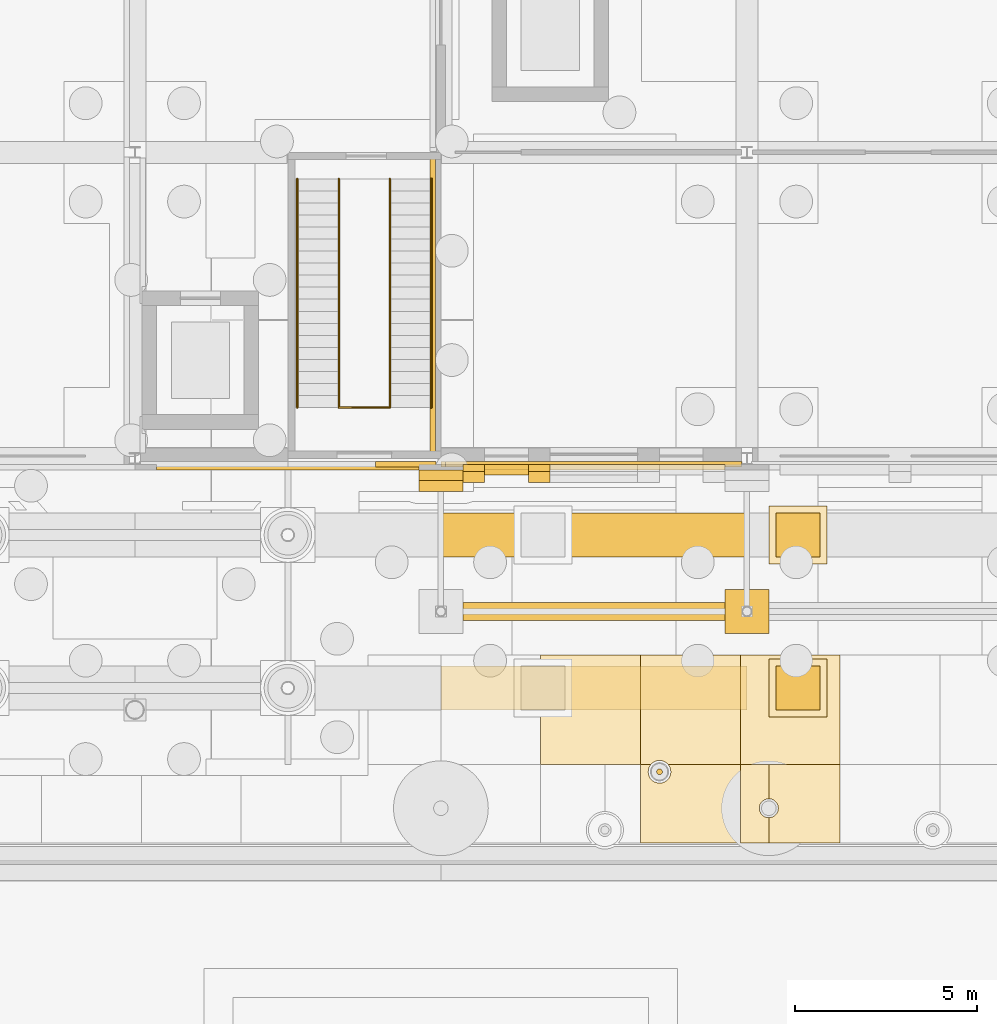
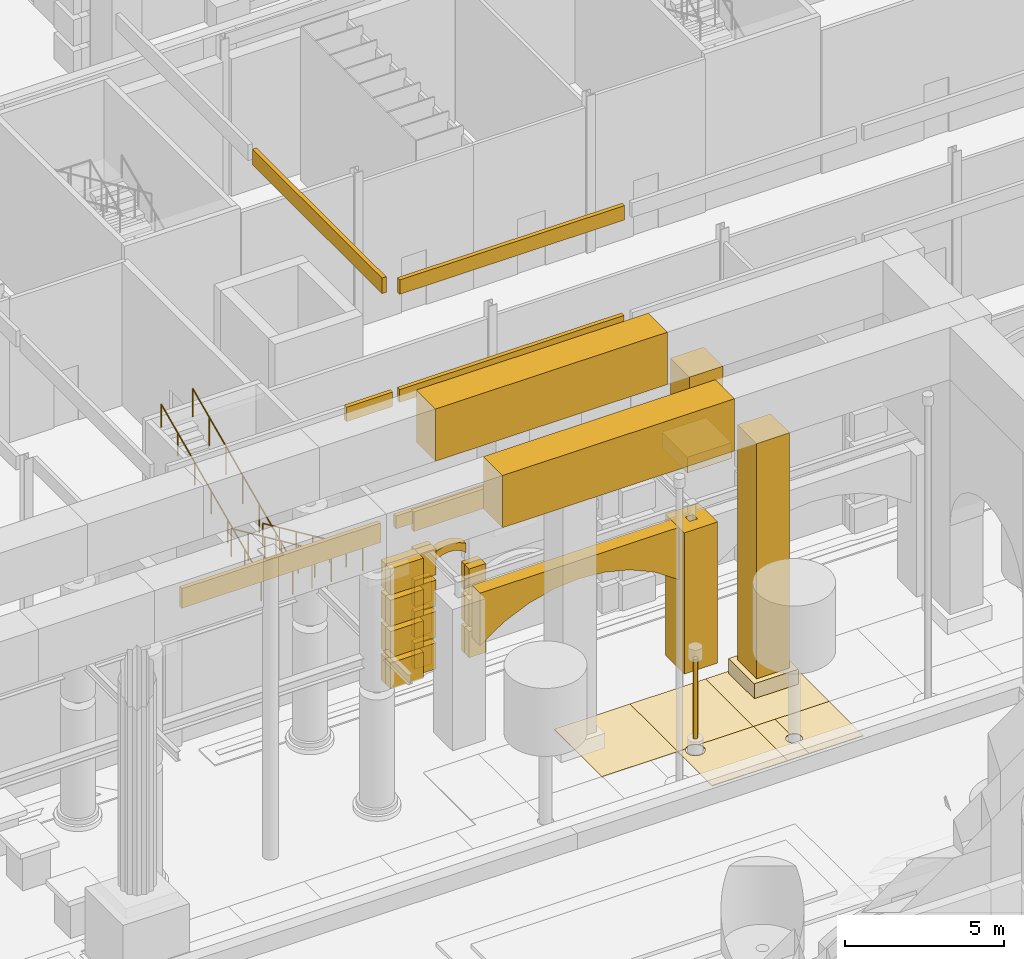
# One storey, part 132 of 222: 45 coverings, 5 railings.
"""IFC4 building model written with IfcOpenShell, lengths in metres."""

import ifcopenshell
import ifcopenshell.guid

model = None  # the IFC model being written
_history = None  # IfcOwnerHistory: only IFC2X3 demands one
_inside = {}  # id of a spatial element -> (the spatial element, [elements in it])
_under = {}  # id of a project, library or spatial element -> (it, [spatial elements below it])
_declared = {}  # id of a project -> (the project, [libraries it declares])
_typed = {}  # id of a type object -> (the type object, [elements of that type])
_made_of = {}  # id of a material, layer set ... -> (it, [elements and type objects made of it])


def new_model(schema):
    """Start an empty IFC model of exactly this schema.

    Asked for "IFC4X3", IfcOpenShell would pick the latest addendum, in which some entities
    have other attributes; the version numbers below select the first issue.
    IFC2X3 requires an IfcOwnerHistory on every rooted entity: one is made here for all.
    """
    global model, _history
    if schema == "IFC4X3":
        model = ifcopenshell.file(schema_version=(4, 3, 0, 0))
    else:
        model = ifcopenshell.file(schema=schema)
    _inside.clear()
    _under.clear()
    _declared.clear()
    _typed.clear()
    _made_of.clear()
    _history = None
    if model.schema == "IFC2X3":
        org = make("IfcOrganization", Name="unknown")
        user = make(
            "IfcPersonAndOrganization",
            ThePerson=make("IfcPerson", FamilyName="unknown"),
            TheOrganization=org,
        )
        app = make(
            "IfcApplication",
            ApplicationDeveloper=org,
            Version="unknown",
            ApplicationFullName="unknown",
            ApplicationIdentifier="unknown",
        )
        _history = make(
            "IfcOwnerHistory",
            OwningUser=user,
            OwningApplication=app,
            ChangeAction="ADDED",
            CreationDate=0,
        )
    return model


def make(cls, **values):
    """One entity of the class cls with the attributes given. An attribute that is None is left unset."""
    return model.create_entity(
        cls, **{name: value for name, value in values.items() if value is not None}
    )


def rooted(cls, **values):
    """An entity with a GlobalId (a new one), such as an element, a storey or a relation."""
    return make(cls, GlobalId=ifcopenshell.guid.new(), OwnerHistory=_history, **values)


def si_unit(unit_type, name, prefix=None):
    """IfcSIUnit, for example si_unit("LENGTHUNIT", "METRE", prefix="MILLI")."""
    return make("IfcSIUnit", UnitType=unit_type, Prefix=prefix, Name=name)


def assignment(units):
    """IfcUnitAssignment: the units of a project."""
    return None if units is None else make("IfcUnitAssignment", Units=units)


def point(xyz):
    """IfcCartesianPoint."""
    return None if xyz is None else make("IfcCartesianPoint", Coordinates=xyz)


def direction(xyz):
    """IfcDirection."""
    return None if xyz is None else make("IfcDirection", DirectionRatios=xyz)


def frame(location, z_axis=None, x_axis=None):
    """IfcAxis2Placement3D, a coordinate frame: its origin and axes. An axis left out is left unset."""
    return make(
        "IfcAxis2Placement3D",
        Location=point(location),
        Axis=direction(z_axis),
        RefDirection=direction(x_axis),
    )


def frame_2d(location, x_axis=None):
    """IfcAxis2Placement2D, a coordinate frame in the plane: its origin and x axis."""
    return make(
        "IfcAxis2Placement2D", Location=point(location), RefDirection=direction(x_axis)
    )


def origin():
    """The frame at (0, 0, 0) with its axes left unset."""
    return frame((0.0, 0.0, 0.0))


def origin_2d():
    """The frame at (0, 0) in the plane with its x axis left unset."""
    return frame_2d((0.0, 0.0))


def place(relative_to, where):
    """IfcLocalPlacement: puts the frame where relative to a parent placement (None: the world)."""
    return make(
        "IfcLocalPlacement", PlacementRelTo=relative_to, RelativePlacement=where
    )


def context(
    kind, dimensions, precision=None, world=None, true_north=None, identifier=None
):
    """IfcGeometricRepresentationContext, for example the 3D "Model" context."""
    return make(
        "IfcGeometricRepresentationContext",
        ContextIdentifier=identifier,
        ContextType=kind,
        CoordinateSpaceDimension=dimensions,
        Precision=precision,
        WorldCoordinateSystem=world,
        TrueNorth=true_north,
    )


def subcontext(parent, identifier, kind, view, scale=None):
    """IfcGeometricRepresentationSubContext, for example "Body" below "Model"."""
    return make(
        "IfcGeometricRepresentationSubContext",
        ContextIdentifier=identifier,
        ContextType=kind,
        ParentContext=parent,
        TargetScale=scale,
        TargetView=view,
    )


def project(units=None, contexts=None):
    """IfcProject with its units and contexts."""
    return rooted(
        "IfcProject",
        Name="project",
        RepresentationContexts=contexts,
        UnitsInContext=assignment(units),
    )


def spatial(cls, under=None, at=None, **own):
    """A site, building, storey or space (cls), placed at a placement, below another one or the project."""
    s = rooted(cls, ObjectPlacement=at, **own)
    if under is not None:
        _under.setdefault(under.id(), (under, []))[1].append(s)
    return s


def polyline(points):
    """IfcPolyline through the points."""
    return make("IfcPolyline", Points=[point(p) for p in points])


def profile(cls, at=None, kind="AREA", **sizes):
    """A parametric profile (cls). Its sizes go by their IFC names, for example OverallWidth=200.0."""
    return make(cls, ProfileType=kind, Position=at, **sizes)


def rectangle(**sizes):
    """IfcRectangleProfileDef."""
    return profile("IfcRectangleProfileDef", **sizes)


def hollow_rectangle(**sizes):
    """IfcRectangleHollowProfileDef."""
    return profile("IfcRectangleHollowProfileDef", **sizes)


def circle(**sizes):
    """IfcCircleProfileDef."""
    return profile("IfcCircleProfileDef", **sizes)


def outline(outer, holes=None, kind="AREA"):
    """IfcArbitraryClosedProfileDef: a profile drawn as a closed curve; with holes, ...WithVoids."""
    if holes is None:
        return make("IfcArbitraryClosedProfileDef", ProfileType=kind, OuterCurve=outer)
    return make(
        "IfcArbitraryProfileDefWithVoids",
        ProfileType=kind,
        OuterCurve=outer,
        InnerCurves=holes,
    )


def extrude(swept, where, along, depth):
    """IfcExtrudedAreaSolid: the profile swept, set in the frame where, extruded along a direction by depth."""
    return make(
        "IfcExtrudedAreaSolid",
        SweptArea=swept,
        Position=where,
        ExtrudedDirection=direction(along),
        Depth=depth,
    )


def shape(context_of_items, identifier, shape_type, items):
    """IfcShapeRepresentation: the items that make up one representation, for example the "Body"."""
    return make(
        "IfcShapeRepresentation",
        ContextOfItems=context_of_items,
        RepresentationIdentifier=identifier,
        RepresentationType=shape_type,
        Items=items,
    )


def material(Name=None, Category=None):
    """IfcMaterial."""
    return make("IfcMaterial", Name=Name, Category=Category)


def layer(
    of_material, thickness, ventilated=None, Name=None, Category=None, Priority=None
):
    """IfcMaterialLayer: one layer of a wall or slab, of a material (None: an air gap)."""
    return make(
        "IfcMaterialLayer",
        Material=of_material,
        LayerThickness=thickness,
        IsVentilated=ventilated,
        Name=Name,
        Category=Category,
        Priority=Priority,
    )


def layer_set(layers, Name=None):
    """IfcMaterialLayerSet."""
    return make("IfcMaterialLayerSet", MaterialLayers=layers, LayerSetName=Name)


def material_profile(
    of_material, cross_section, Name=None, Category=None, Priority=None
):
    """IfcMaterialProfile: a cross section and its material."""
    return make(
        "IfcMaterialProfile",
        Name=Name,
        Material=of_material,
        Profile=cross_section,
        Priority=Priority,
        Category=Category,
    )


def profile_set(profiles, Name=None, composite=None):
    """IfcMaterialProfileSet."""
    return make(
        "IfcMaterialProfileSet",
        Name=Name,
        MaterialProfiles=profiles,
        CompositeProfile=composite,
    )


def made_of(thing, what):
    """Note that an element or type object is made of a material, layer set ...; save() writes the relation."""
    if what is not None:
        _made_of.setdefault(what.id(), (what, []))[1].append(thing)
    return thing


def type_object(cls, material=None, **own):
    """A type object (cls), such as IfcWallType, which elements share."""
    return made_of(rooted(cls, **own), material)


def element(
    cls,
    number,
    at=None,
    inside=None,
    cuts=None,
    type_object=None,
    material=None,
    context=None,
    identifier="Body",
    shape_type=None,
    held_by="IfcProductDefinitionShape",
    body=None,
    shapes=None,
    **own,
):
    """One element of the class cls, such as IfcWall. Its Tag is "e" and its number.

    at: its placement. inside: the storey or other place that contains it. cuts: it is an
    opening in that element (IfcRelVoidsElement). A single representation is given by context,
    identifier, shape_type and body (its items); several are given by shapes. held_by: the class
    of the entity that holds the representations. save() writes the other relations.
    """
    e = rooted(cls, Tag="e%d" % number, ObjectPlacement=at, **own)
    if body is not None:
        shapes = [shape(context, identifier, shape_type, body)]
    if shapes is not None:
        e.Representation = make(held_by, Representations=shapes)
    if inside is not None:
        _inside.setdefault(inside.id(), (inside, []))[1].append(e)
    if cuts is not None:
        rooted(
            "IfcRelVoidsElement", RelatingBuildingElement=cuts, RelatedOpeningElement=e
        )
    if type_object is not None:
        _typed.setdefault(type_object.id(), (type_object, []))[1].append(e)
    return made_of(e, material)


def aggregate(whole, parts):
    """IfcRelAggregates: a whole, such as a stair, and the parts it consists of."""
    return rooted("IfcRelAggregates", RelatingObject=whole, RelatedObjects=parts)


def save(model, path):
    """Write the relations noted so far, then the file.

    IfcRelAggregates (storeys below a building ...), IfcRelContainedInSpatialStructure (elements
    in a storey), IfcRelDefinesByType, IfcRelAssociatesMaterial and IfcRelDeclares: one each for
    every whole, place, type object, material and project.
    """
    for whole, parts in _under.values():
        aggregate(whole, parts)
    for where, things in _inside.values():
        rooted(
            "IfcRelContainedInSpatialStructure",
            RelatedElements=things,
            RelatingStructure=where,
        )
    for kind, things in _typed.values():
        rooted("IfcRelDefinesByType", RelatedObjects=things, RelatingType=kind)
    for what, things in _made_of.values():
        rooted("IfcRelAssociatesMaterial", RelatedObjects=things, RelatingMaterial=what)
    for by, libraries in _declared.values():
        rooted("IfcRelDeclares", RelatingContext=by, RelatedDefinitions=libraries)
    model.write(path)


model = new_model("IFC4")

# Units and contexts
model_context = context("Model", 3, precision=1e-05, world=origin(), true_north=direction((0.0, 1.0)))
body_context = subcontext(model_context, "Body", "Model", "MODEL_VIEW")
ifc_project = project(units=[si_unit("LENGTHUNIT", "METRE"), si_unit("AREAUNIT", "SQUARE_METRE"), si_unit("VOLUMEUNIT", "CUBIC_METRE"), si_unit("PLANEANGLEUNIT", "RADIAN"), si_unit("MASSUNIT", "GRAM", prefix="KILO")], contexts=[model_context])

# Site, building, storey
site_placement = place(None, origin())
site = spatial("IfcSite", under=ifc_project, at=site_placement, CompositionType="ELEMENT")
building_placement = place(site_placement, origin())
building = spatial("IfcBuilding", under=site, at=building_placement, Name="Sava Quay Ferry Terminal", CompositionType="ELEMENT")
storey_placement = place(building_placement, origin())
storey = spatial("IfcBuildingStorey", under=building, at=storey_placement, Name="L00", CompositionType="ELEMENT", Elevation=0.0)

# Coverings
ifc_material_1 = material(Name="Limestone Mutalj ashlar", Category="masonry")
ifc_material_profile = material_profile(ifc_material_1, hollow_rectangle(XDim=1.199951171875, YDim=1.199951171875, WallThickness=0.462890625, at=origin_2d()), Name="Arcade pier 1200")
ifc_profile_set = profile_set([ifc_material_profile], Name="Limestone Mutalj ashlar")
covering_type_1 = type_object("IfcCoveringType", Name="Arcade pier 1200", PredefinedType="CLADDING", material=ifc_profile_set)
covering_1_placement = place(storey_placement, frame((92.39990234375, 21.0, 0.0), z_axis=(0.0, 0.0, 1.0), x_axis=(1.0, 0.0, 0.0)))
element("IfcCovering", 1, at=covering_1_placement, inside=storey, type_object=covering_type_1, Name="Arcade pier", PredefinedType="CLADDING", context=body_context, shape_type="SweptSolid", body=[
    extrude(hollow_rectangle(XDim=1.199951171875, YDim=1.199951171875, WallThickness=0.462890625, at=origin_2d()), origin(), (0.0, 0.0, 1.0), 5.39990234375),
])
ifc_material_2 = material(Name="Limestone Mutalj", Category="masonry")
ifc_layer_1 = layer(ifc_material_2, 0.300048828125)
ifc_layer_set_1 = layer_set([ifc_layer_1], Name="Limestone Mutalj")
covering_type_2 = type_object("IfcCoveringType", Name="Arch band 280", PredefinedType="MOLDING", material=ifc_layer_set_1)
covering_2_placement = place(storey_placement, frame((85.199951171875, 24.739990234375, 3.89990234375), z_axis=(0.0, -1.0, 0.0), x_axis=(0.766686318179, 0.0, 0.642021876199)))
element("IfcCovering", 2, at=covering_2_placement, inside=storey, type_object=covering_type_2, Name="Arch band", PredefinedType="MOLDING", context=body_context, shape_type="SweptSolid", body=[
    extrude(outline(polyline([(0.0, 0.0), (0.15667057654730215, -1.3877787807814457e-17), (0.29293404656438327, -0.02398938309786766), (0.414337308134961, -0.06610472040016957), (0.5230139006591377, -0.1230376562322823), (0.6205921316676617, -0.19360424362325043), (0.7070111298509724, -0.2771166367750381), (0.7823317665186302, -0.3742626814856812), (0.844925734139887, -0.48622632472613514), (0.8926594933146406, -0.6163159221710233), (0.919986145959173, -0.7703949027137791), (1.1489885778747033, -0.49692597916416525), (1.0994043308893047, -0.3694264559410845), (1.0383473638344554, -0.2552470970326215), (0.9677594714851411, -0.1528295969140227), (0.8882067570202763, -0.06073739267965583), (0.8003770662378966, 0.021090386980039788), (0.7042095278284416, 0.09334158786309998), (0.5997650131014718, 0.15532836417148896), (0.4863556762589516, 0.20698984459564596), (0.3634154141219664, 0.2468894662299388), (0.22900243191553027, 0.27346892354961383), (0.0, 0.0)])), origin(), (0.0, 0.0, -1.0), 0.300048828125),
])
ifc_material_3 = material(Name="Limestone Mutalj", Category="masonry")
ifc_layer_2 = layer(ifc_material_3, 0.5)
ifc_layer_set_2 = layer_set([ifc_layer_2], Name="Limestone Mutalj")
covering_type_3 = type_object("IfcCoveringType", Name="Arch spandrel 500", PredefinedType="CLADDING", material=ifc_layer_set_2)
covering_3_placement = place(storey_placement, frame((84.60009765625, 20.75, 3.39990234375), z_axis=(0.0, -1.0, 0.0), x_axis=(0.827289511466, 0.0, 0.561775813131)))
element("IfcCovering", 3, at=covering_3_placement, inside=storey, type_object=covering_type_3, Name="Arch spandrel", PredefinedType="CLADDING", context=body_context, shape_type="SweptSolid", body=[
    extrude(outline(polyline([(0.0, 0.0), (1.0877719725412898, 0.0), (2.0534783997490385, -0.17975773076285784), (2.92338019324587, -0.5010350986935066), (3.7084570438196027, -0.946793875989717), (4.412541708880196, -1.5122589927881132), (5.031801431017692, -2.202205518952071), (5.555054544465885, -3.033534529985692), (5.956444087558922, -4.044758424080299), (7.079995713820012, -2.3901794011484654), (1.12355162626109, 1.6545790229318331), (0.0, 0.0)])), origin(), (0.0, 0.0, -1.0), 0.5),
])
ifc_material_4 = material(Name="Limestone Mutalj", Category="masonry")
ifc_layer_3 = layer(ifc_material_4, 0.030029296875)
ifc_layer_set_3 = layer_set([ifc_layer_3], Name="Limestone Mutalj")
covering_type_4 = type_object("IfcCoveringType", Name="Court paving tile 30", PredefinedType="FLOORING", material=ifc_layer_set_3)
covering_4_placement = place(storey_placement, origin())
element("IfcCovering", 4, at=covering_4_placement, inside=storey, type_object=covering_type_4, Name="Limestone paving tile", PredefinedType="FLOORING", context=body_context, shape_type="SweptSolid", body=[
    extrude(outline(polyline([(89.47998046875, 16.800048828125), (89.47998046875, 19.800048828125), (86.739990234375, 19.800048828125), (86.739990234375, 16.800048828125), (89.47998046875, 16.800048828125)])), origin(), (0.0, 0.0, 1.0), 0.030029296875),
])
covering_5_placement = place(storey_placement, origin())
element("IfcCovering", 5, at=covering_5_placement, inside=storey, type_object=covering_type_4, Name="Limestone paving tile", PredefinedType="FLOORING", context=body_context, shape_type="SweptSolid", body=[
    extrude(outline(polyline([(94.9599609375, 16.800048828125), (94.9599609375, 19.800048828125), (92.219970703125, 19.800048828125), (92.219970703125, 16.800048828125), (94.9599609375, 16.800048828125)])), origin(), (0.0, 0.0, 1.0), 0.030029296875),
])
covering_6_placement = place(storey_placement, origin())
element("IfcCovering", 6, at=covering_6_placement, inside=storey, type_object=covering_type_4, Name="Limestone paving tile", PredefinedType="FLOORING", context=body_context, shape_type="SweptSolid", body=[
    extrude(outline(polyline([(92.219970703125, 14.64990234375), (92.219970703125, 16.800048828125), (90.237060546875, 16.800048828125), (90.257080078125, 16.77294921875), (90.27392578125, 16.74609375), (90.287109375, 16.718017578125), (90.303955078125, 16.659912109375), (90.30810546875, 16.631103515625), (90.31005859375, 16.60009765625), (90.30810546875, 16.569091796875), (90.303955078125, 16.5400390625), (90.297119140625, 16.510009765625), (90.285888671875, 16.48095703125), (90.27294921875, 16.452880859375), (90.258056640625, 16.427978515625), (90.239013671875, 16.403076171875), (90.218994140625, 16.3798828125), (90.172119140625, 16.342041015625), (90.14599609375, 16.325927734375), (90.090087890625, 16.302978515625), (90.06005859375, 16.2958984375), (90.031005859375, 16.2919921875), (90.0, 16.2900390625), (89.968994140625, 16.2919921875), (89.93994140625, 16.2958984375), (89.909912109375, 16.302978515625), (89.85400390625, 16.325927734375), (89.827880859375, 16.342041015625), (89.781005859375, 16.3798828125), (89.760986328125, 16.403076171875), (89.741943359375, 16.427978515625), (89.72705078125, 16.452880859375), (89.714111328125, 16.48095703125), (89.702880859375, 16.510009765625), (89.696044921875, 16.5400390625), (89.69189453125, 16.569091796875), (89.68994140625, 16.60009765625), (89.69189453125, 16.631103515625), (89.696044921875, 16.659912109375), (89.712890625, 16.718017578125), (89.72607421875, 16.74609375), (89.742919921875, 16.77294921875), (89.762939453125, 16.800048828125), (89.47998046875, 16.800048828125), (89.47998046875, 14.64990234375), (92.219970703125, 14.64990234375)])), origin(), (0.0, 0.0, 1.0), 0.030029296875),
])
ifc_material_5 = material(Name="Red sandstone Vrsac", Category="masonry")
ifc_layer_4 = layer(ifc_material_5, 0.030029296875)
ifc_layer_set_4 = layer_set([ifc_layer_4], Name="Red sandstone Vrsac")
covering_type_5 = type_object("IfcCoveringType", Name="Court paving tile sandstone 30", PredefinedType="FLOORING", material=ifc_layer_set_4)
covering_7_placement = place(storey_placement, origin())
element("IfcCovering", 7, at=covering_7_placement, inside=storey, type_object=covering_type_5, Name="Sandstone paving tile", PredefinedType="FLOORING", context=body_context, shape_type="SweptSolid", body=[
    extrude(outline(polyline([(92.219970703125, 16.800048828125), (92.219970703125, 19.800048828125), (89.47998046875, 19.800048828125), (89.47998046875, 16.800048828125), (89.762939453125, 16.800048828125), (89.781005859375, 16.820068359375), (89.802978515625, 16.839111328125), (89.826904296875, 16.85693359375), (89.85302734375, 16.873046875), (89.881103515625, 16.885986328125), (89.909912109375, 16.89697265625), (89.93994140625, 16.904052734375), (89.969970703125, 16.908935546875), (90.0, 16.909912109375), (90.031005859375, 16.907958984375), (90.06103515625, 16.904052734375), (90.090087890625, 16.89599609375), (90.118896484375, 16.885986328125), (90.14697265625, 16.873046875), (90.173095703125, 16.85693359375), (90.197021484375, 16.839111328125), (90.218994140625, 16.820068359375), (90.237060546875, 16.800048828125), (92.219970703125, 16.800048828125)])), origin(), (0.0, 0.0, 1.0), 0.030029296875),
])
covering_8_placement = place(storey_placement, origin())
element("IfcCovering", 8, at=covering_8_placement, inside=storey, type_object=covering_type_5, Name="Sandstone paving tile", PredefinedType="FLOORING", context=body_context, shape_type="SweptSolid", body=[
    extrude(outline(polyline([(93.0, 15.860107421875), (93.0, 16.800048828125), (92.219970703125, 16.800048828125), (92.219970703125, 14.64990234375), (93.0, 14.64990234375), (93.0, 15.340087890625), (92.97412109375, 15.341064453125), (92.948974609375, 15.344970703125), (92.924072265625, 15.35107421875), (92.89990234375, 15.360107421875), (92.876953125, 15.37109375), (92.85498046875, 15.384033203125), (92.8349609375, 15.39892578125), (92.81591796875, 15.4169921875), (92.799072265625, 15.43505859375), (92.783935546875, 15.4560546875), (92.77001953125, 15.47802734375), (92.760009765625, 15.5009765625), (92.7509765625, 15.52490234375), (92.7451171875, 15.550048828125), (92.740966796875, 15.574951171875), (92.739990234375, 15.60009765625), (92.740966796875, 15.6259765625), (92.7451171875, 15.65087890625), (92.7509765625, 15.676025390625), (92.760009765625, 15.699951171875), (92.77099609375, 15.722900390625), (92.783935546875, 15.7451171875), (92.799072265625, 15.764892578125), (92.81689453125, 15.783935546875), (92.8349609375, 15.801025390625), (92.85595703125, 15.81591796875), (92.8779296875, 15.830078125), (92.90087890625, 15.840087890625), (92.925048828125, 15.84912109375), (92.949951171875, 15.85498046875), (92.97509765625, 15.85888671875), (93.0, 15.860107421875)])), origin(), (0.0, 0.0, 1.0), 0.030029296875),
])
covering_9_placement = place(storey_placement, origin())
element("IfcCovering", 9, at=covering_9_placement, inside=storey, type_object=covering_type_5, Name="Sandstone paving tile", PredefinedType="FLOORING", context=body_context, shape_type="SweptSolid", body=[
    extrude(outline(polyline([(94.9599609375, 14.64990234375), (94.9599609375, 16.800048828125), (93.0, 16.800048828125), (93.0, 15.860107421875), (93.02587890625, 15.85888671875), (93.051025390625, 15.85498046875), (93.075927734375, 15.84912109375), (93.10009765625, 15.840087890625), (93.123046875, 15.8291015625), (93.14501953125, 15.81591796875), (93.1650390625, 15.801025390625), (93.18408203125, 15.782958984375), (93.200927734375, 15.764892578125), (93.216064453125, 15.743896484375), (93.22998046875, 15.721923828125), (93.239990234375, 15.698974609375), (93.2490234375, 15.675048828125), (93.2548828125, 15.64990234375), (93.259033203125, 15.625), (93.260009765625, 15.60009765625), (93.259033203125, 15.573974609375), (93.2548828125, 15.549072265625), (93.2490234375, 15.52392578125), (93.239990234375, 15.5), (93.22900390625, 15.47705078125), (93.216064453125, 15.455078125), (93.200927734375, 15.43505859375), (93.18310546875, 15.416015625), (93.1650390625, 15.39892578125), (93.14404296875, 15.384033203125), (93.1220703125, 15.3701171875), (93.09912109375, 15.360107421875), (93.074951171875, 15.35107421875), (93.050048828125, 15.344970703125), (93.02490234375, 15.341064453125), (93.0, 15.340087890625), (93.0, 14.64990234375), (94.9599609375, 14.64990234375)])), origin(), (0.0, 0.0, 1.0), 0.030029296875),
])

# Railings
ifc_material_6 = material(Name="Steel S355", Category="steel")
railing_type_1 = type_object("IfcRailingType", Name="Guard 1100", PredefinedType="GUARDRAIL", material=ifc_material_6)
railing_1_placement = place(storey_placement, frame((82.60009765625, 32.8701171875, 0.14990234375)))
element("IfcRailing", 10, at=railing_1_placement, inside=storey, type_object=railing_type_1, Name="Guard at stair well ST-A2 L00", PredefinedType="GUARDRAIL", context=body_context, shape_type="SweptSolid", body=[
    extrude(circle(Radius=0.02392578125, at=origin_2d()), frame((0.0, 0.0, 1.076171875), z_axis=(0.0, -0.910361621584, 0.413813627068), x_axis=(1.0, 0.0, 0.0)), (0.0, 0.0, 1.0), 6.887451171875),
    extrude(circle(Radius=0.02099609375, at=origin_2d()), origin(), (0.0, 0.0, 1.0), 1.052001953125),
    extrude(circle(Radius=0.02099609375, at=origin_2d()), frame((0.0, -1.044921875, 0.47509765625)), (0.0, 0.0, 1.0), 1.052001953125),
    extrude(circle(Radius=0.02099609375, at=origin_2d()), frame((0.0, -2.090087890625, 0.949951171875)), (0.0, 0.0, 1.0), 1.052001953125),
    extrude(circle(Radius=0.02099609375, at=origin_2d()), frame((0.0, -3.135009765625, 1.425048828125)), (0.0, 0.0, 1.0), 1.052001953125),
    extrude(circle(Radius=0.02099609375, at=origin_2d()), frame((0.0, -4.179931640625, 1.900146484375)), (0.0, 0.0, 1.0), 1.052001953125),
    extrude(circle(Radius=0.02099609375, at=origin_2d()), frame((0.0, -5.22509765625, 2.375)), (0.0, 0.0, 1.0), 1.052001953125),
    extrude(circle(Radius=0.02099609375, at=origin_2d()), frame((0.0, -6.27001953125, 2.85009765625)), (0.0, 0.0, 1.0), 1.052001953125),
])
railing_2_placement = place(storey_placement, frame((81.199951171875, 26.60009765625, 3.14990234375)))
element("IfcRailing", 11, at=railing_2_placement, inside=storey, type_object=railing_type_1, Name="Guard at stair well ST-A2 L00", PredefinedType="GUARDRAIL", context=body_context, shape_type="SweptSolid", body=[
    extrude(circle(Radius=0.02392578125, at=origin_2d()), frame((0.0, 0.0, 1.076171875), z_axis=(0.0, 0.910361621584, 0.413813627068), x_axis=(-1.0, 0.0, 0.0)), (0.0, 0.0, 1.0), 6.887451171875),
    extrude(circle(Radius=0.02099609375, at=origin_2d()), origin(), (0.0, 0.0, 1.0), 1.052001953125),
    extrude(circle(Radius=0.02099609375, at=origin_2d()), frame((0.0, 1.044921875, 0.47509765625)), (0.0, 0.0, 1.0), 1.052001953125),
    extrude(circle(Radius=0.02099609375, at=origin_2d()), frame((0.0, 2.090087890625, 0.949951171875)), (0.0, 0.0, 1.0), 1.052001953125),
    extrude(circle(Radius=0.02099609375, at=origin_2d()), frame((0.0, 3.135009765625, 1.425048828125)), (0.0, 0.0, 1.0), 1.052001953125),
    extrude(circle(Radius=0.02099609375, at=origin_2d()), frame((0.0, 4.179931640625, 1.900146484375)), (0.0, 0.0, 1.0), 1.052001953125),
    extrude(circle(Radius=0.02099609375, at=origin_2d()), frame((0.0, 5.22509765625, 2.375)), (0.0, 0.0, 1.0), 1.052001953125),
    extrude(circle(Radius=0.02099609375, at=origin_2d()), frame((0.0, 6.27001953125, 2.85009765625)), (0.0, 0.0, 1.0), 1.052001953125),
])
railing_3_placement = place(storey_placement, frame((81.199951171875, 26.60009765625, 3.0)))
element("IfcRailing", 12, at=railing_3_placement, inside=storey, type_object=railing_type_1, Name="Guard at half landing ST-A2 L00", PredefinedType="GUARDRAIL", context=body_context, shape_type="SweptSolid", body=[
    extrude(circle(Radius=0.02392578125, at=origin_2d()), frame((0.0, 0.0, 1.076171875), z_axis=(1.0, 0.0, 0.0), x_axis=(0.0, 1.0, 0.0)), (0.0, 0.0, 1.0), 1.400146484375),
    extrude(circle(Radius=0.02099609375, at=origin_2d()), origin(), (0.0, 0.0, 1.0), 1.052001953125),
    extrude(circle(Radius=0.02099609375, at=origin_2d()), frame((0.7001953125, 0.0, 0.0)), (0.0, 0.0, 1.0), 1.052001953125),
    extrude(circle(Radius=0.02099609375, at=origin_2d()), frame((1.400146484375, 0.0, 0.0)), (0.0, 0.0, 1.0), 1.052001953125),
])

# Coverings
ifc_material_7 = material(Name="Steel S355", Category="steel")
ifc_layer_5 = layer(ifc_material_7, 0.159912109375)
ifc_layer_set_5 = layer_set([ifc_layer_5], Name="Steel S355")
covering_type_6 = type_object("IfcCoveringType", Name="Lamp standard column 160", PredefinedType="CLADDING", material=ifc_layer_set_5)
covering_10_placement = place(storey_placement, frame((90.0, 16.60009765625, 3.550048828125), z_axis=(0.0, 0.0, -1.0), x_axis=(1.0, 0.0, 0.0)))
element("IfcCovering", 13, at=covering_10_placement, inside=storey, type_object=covering_type_6, Name="Lamp standard column", PredefinedType="CLADDING", context=body_context, shape_type="SweptSolid", body=[
    extrude(circle(Radius=0.080078125, at=origin_2d()), origin(), (0.0, 0.0, 1.0), 3.050048828125),
])
ifc_material_8 = material(Name="Limestone Mutalj", Category="masonry")
ifc_layer_6 = layer(ifc_material_8, 0.14990234375)
ifc_layer_set_6 = layer_set([ifc_layer_6], Name="Limestone Mutalj")
covering_type_7 = type_object("IfcCoveringType", Name="Limestone string course 150", PredefinedType="CLADDING", material=ifc_layer_set_6)
covering_11_placement = place(storey_placement, frame((0.0, 0.0, 5.25)))
element("IfcCovering", 14, at=covering_11_placement, inside=storey, type_object=covering_type_7, Name="String course P-S", PredefinedType="CLADDING", context=body_context, shape_type="SweptSolid", body=[
    extrude(outline(polyline([(76.199951171875, 25.0400390625), (83.39990234375, 25.0400390625), (83.39990234375, 24.889892578125), (76.199951171875, 24.889892578125), (76.199951171875, 25.0400390625)])), origin(), (0.0, 0.0, 1.0), 0.75),
])
covering_12_placement = place(storey_placement, frame((0.0, 0.0, 5.25)))
element("IfcCovering", 15, at=covering_12_placement, inside=storey, type_object=covering_type_7, Name="String course P-S", PredefinedType="CLADDING", context=body_context, shape_type="SweptSolid", body=[
    extrude(outline(polyline([(84.60009765625, 25.0400390625), (91.800048828125, 25.0400390625), (91.800048828125, 24.889892578125), (84.60009765625, 24.889892578125), (84.60009765625, 25.0400390625)])), origin(), (0.0, 0.0, 1.0), 0.75),
])
ifc_material_9 = material(Name="Limestone Mutalj", Category="masonry")
ifc_layer_7 = layer(ifc_material_9, 2.0)
ifc_layer_set_7 = layer_set([ifc_layer_7], Name="Limestone Mutalj")
covering_type_8 = type_object("IfcCoveringType", Name="Portico entablature 2000", PredefinedType="CLADDING", material=ifc_layer_set_7)
for number, where, z_axis, x_axis, name in (
    (16, (88.199951171875, 18.89990234375, 9.60009765625), (0.0, 0.0, 1.0), (1.0, 0.0, 0.0), "Portico entablature"),
    (17, (88.199951171875, 23.10009765625, 9.60009765625), (0.0, 0.0, 1.0), (1.0, 0.0, 0.0), "Portico entablature"),
):
    element("IfcCovering", number, at=place(storey_placement, frame(where, z_axis=z_axis, x_axis=x_axis)), inside=storey, type_object=covering_type_8, Name=name, PredefinedType="CLADDING", context=body_context, shape_type="SweptSolid", body=[
        extrude(rectangle(XDim=8.39990234375, YDim=1.199951171875, at=origin_2d()), origin(), (0.0, 0.0, 1.0), 2.0),
    ])
ifc_material_10 = material(Name="Limestone Mutalj", Category="masonry")
ifc_layer_8 = layer(ifc_material_10, 1.199951171875)
ifc_layer_set_8 = layer_set([ifc_layer_8], Name="Limestone Mutalj")
covering_type_9 = type_object("IfcCoveringType", Name="Return pier 1200", PredefinedType="CLADDING", material=ifc_layer_set_8)
covering_13_placement = place(storey_placement, frame((93.800048828125, 18.89990234375, 0.60009765625), z_axis=(0.0, 0.0, 1.0), x_axis=(1.0, 0.0, 0.0)))
element("IfcCovering", 18, at=covering_13_placement, inside=storey, type_object=covering_type_9, Name="Return pier", PredefinedType="CLADDING", context=body_context, shape_type="SweptSolid", body=[
    extrude(rectangle(XDim=1.199951171875, YDim=1.199951171875, at=origin_2d()), origin(), (0.0, 0.0, 1.0), 9.0),
])
covering_14_placement = place(storey_placement, frame((93.800048828125, 23.10009765625, 6.719970703125), z_axis=(0.0, 0.0, 1.0), x_axis=(1.0, 0.0, 0.0)))
element("IfcCovering", 19, at=covering_14_placement, inside=storey, type_object=covering_type_9, Name="Return pier", PredefinedType="CLADDING", context=body_context, shape_type="SweptSolid", body=[
    extrude(rectangle(XDim=1.199951171875, YDim=1.199951171875, at=origin_2d()), origin(), (0.0, 0.0, 1.0), 2.8798828125),
])
ifc_material_11 = material(Name="Limestone Mutalj", Category="masonry")
ifc_layer_9 = layer(ifc_material_11, 1.60009765625)
ifc_layer_set_9 = layer_set([ifc_layer_9], Name="Limestone Mutalj")
covering_type_10 = type_object("IfcCoveringType", Name="Return pier base 1600", PredefinedType="MOLDING", material=ifc_layer_set_9)
for number, where, z_axis, x_axis, name in (
    (20, (93.800048828125, 18.89990234375, 0.0), (0.0, 0.0, 1.0), (1.0, 0.0, 0.0), "Return pier base"),
    (21, (93.800048828125, 23.10009765625, 6.119873046875), (0.0, 0.0, 1.0), (1.0, 0.0, 0.0), "Return pier base"),
):
    element("IfcCovering", number, at=place(storey_placement, frame(where, z_axis=z_axis, x_axis=x_axis)), inside=storey, type_object=covering_type_10, Name=name, PredefinedType="MOLDING", context=body_context, shape_type="SweptSolid", body=[
        extrude(rectangle(XDim=1.60009765625, YDim=1.60009765625, at=origin_2d()), origin(), (0.0, 0.0, 1.0), 0.60009765625),
    ])
ifc_material_12 = material(Name="Limestone Mutalj", Category="masonry")
ifc_layer_10 = layer(ifc_material_12, 0.300048828125)
ifc_layer_set_10 = layer_set([ifc_layer_10], Name="Limestone Mutalj")
covering_type_11 = type_object("IfcCoveringType", Name="Rusticated course deepening 300", PredefinedType="CLADDING", material=ifc_layer_set_10)
for number, where, z_axis, x_axis, name in (
    (22, (84.0, 24.43994140625, 0.0), (0.0, 0.0, 1.0), (1.0, 0.0, 0.0), "Rusticated course deepening"),
    (23, (84.0, 24.43994140625, 1.199951171875), (0.0, 0.0, 1.0), (1.0, 0.0, 0.0), "Rusticated course deepening"),
    (24, (84.0, 24.43994140625, 2.39990234375), (0.0, 0.0, 1.0), (1.0, 0.0, 0.0), "Rusticated course deepening"),
    (25, (84.0, 24.43994140625, 3.60009765625), (0.0, 0.0, 1.0), (1.0, 0.0, 0.0), "Rusticated course deepening"),
):
    element("IfcCovering", number, at=place(storey_placement, frame(where, z_axis=z_axis, x_axis=x_axis)), inside=storey, type_object=covering_type_11, Name=name, PredefinedType="CLADDING", context=body_context, shape_type="SweptSolid", body=[
        extrude(rectangle(XDim=1.199951171875, YDim=0.300048828125, at=origin_2d()), origin(), (0.0, 0.0, 1.0), 1.0),
    ])
for number, where, z_axis, x_axis, name in (
    (26, (84.89990234375, 24.68994140625, 0.0), (0.0, 0.0, 1.0), (1.0, 0.0, 0.0), "Rusticated course deepening"),
    (27, (86.699951171875, 24.68994140625, 0.0), (0.0, 0.0, 1.0), (1.0, 0.0, 0.0), "Rusticated course deepening"),
    (28, (84.89990234375, 24.68994140625, 1.199951171875), (0.0, 0.0, 1.0), (1.0, 0.0, 0.0), "Rusticated course deepening"),
    (29, (86.699951171875, 24.68994140625, 1.199951171875), (0.0, 0.0, 1.0), (1.0, 0.0, 0.0), "Rusticated course deepening"),
    (30, (84.89990234375, 24.68994140625, 2.39990234375), (0.0, 0.0, 1.0), (1.0, 0.0, 0.0), "Rusticated course deepening"),
    (31, (86.699951171875, 24.68994140625, 2.39990234375), (0.0, 0.0, 1.0), (1.0, 0.0, 0.0), "Rusticated course deepening"),
    (32, (84.89990234375, 24.68994140625, 3.60009765625), (0.0, 0.0, 1.0), (1.0, 0.0, 0.0), "Rusticated course deepening"),
):
    element("IfcCovering", number, at=place(storey_placement, frame(where, z_axis=z_axis, x_axis=x_axis)), inside=storey, type_object=covering_type_11, Name=name, PredefinedType="CLADDING", context=body_context, shape_type="SweptSolid", body=[
        extrude(rectangle(XDim=0.60009765625, YDim=0.300048828125, at=origin_2d()), origin(), (0.0, 0.0, 1.0), 1.0),
    ])
ifc_material_13 = material(Name="Limestone Mutalj", Category="masonry")
ifc_layer_11 = layer(ifc_material_13, 0.300048828125)
ifc_layer_set_11 = layer_set([ifc_layer_11], Name="Limestone Mutalj")
covering_type_12 = type_object("IfcCoveringType", Name="Rusticated pier course 300", PredefinedType="CLADDING", material=ifc_layer_set_11)
for number, where, z_axis, x_axis, name in (
    (33, (84.0, 24.739990234375, 0.0), (0.0, 0.0, 1.0), (1.0, 0.0, 0.0), "Rusticated pier course"),
    (34, (84.0, 24.739990234375, 1.199951171875), (0.0, 0.0, 1.0), (1.0, 0.0, 0.0), "Rusticated pier course"),
    (35, (84.0, 24.739990234375, 2.39990234375), (0.0, 0.0, 1.0), (1.0, 0.0, 0.0), "Rusticated pier course"),
    (36, (84.0, 24.739990234375, 3.60009765625), (0.0, 0.0, 1.0), (1.0, 0.0, 0.0), "Rusticated pier course"),
):
    element("IfcCovering", number, at=place(storey_placement, frame(where, z_axis=z_axis, x_axis=x_axis)), inside=storey, type_object=covering_type_12, Name=name, PredefinedType="CLADDING", context=body_context, shape_type="SweptSolid", body=[
        extrude(rectangle(XDim=1.199951171875, YDim=0.300048828125, at=origin_2d()), origin(), (0.0, 0.0, 1.0), 1.0),
    ])
ifc_material_14 = material(Name="Limestone Mutalj", Category="masonry")
ifc_layer_12 = layer(ifc_material_14, 0.199951171875)
ifc_layer_set_12 = layer_set([ifc_layer_12], Name="Limestone Mutalj")
covering_type_13 = type_object("IfcCoveringType", Name="Rusticated wall course 200", PredefinedType="CLADDING", material=ifc_layer_set_12)
for number, where, z_axis, x_axis, name in (
    (37, (84.89990234375, 24.93994140625, 0.0), (0.0, 0.0, 1.0), (1.0, 0.0, 0.0), "Rusticated wall course"),
    (38, (86.699951171875, 24.93994140625, 0.0), (0.0, 0.0, 1.0), (1.0, 0.0, 0.0), "Rusticated wall course"),
    (39, (84.89990234375, 24.93994140625, 1.199951171875), (0.0, 0.0, 1.0), (1.0, 0.0, 0.0), "Rusticated wall course"),
    (40, (86.699951171875, 24.93994140625, 1.199951171875), (0.0, 0.0, 1.0), (1.0, 0.0, 0.0), "Rusticated wall course"),
    (41, (84.89990234375, 24.93994140625, 2.39990234375), (0.0, 0.0, 1.0), (1.0, 0.0, 0.0), "Rusticated wall course"),
    (42, (86.699951171875, 24.93994140625, 2.39990234375), (0.0, 0.0, 1.0), (1.0, 0.0, 0.0), "Rusticated wall course"),
    (43, (84.89990234375, 24.93994140625, 3.60009765625), (0.0, 0.0, 1.0), (1.0, 0.0, 0.0), "Rusticated wall course"),
):
    element("IfcCovering", number, at=place(storey_placement, frame(where, z_axis=z_axis, x_axis=x_axis)), inside=storey, type_object=covering_type_13, Name=name, PredefinedType="CLADDING", context=body_context, shape_type="SweptSolid", body=[
        extrude(rectangle(XDim=0.60009765625, YDim=0.199951171875, at=origin_2d()), origin(), (0.0, 0.0, 1.0), 1.0),
    ])
ifc_material_15 = material(Name="Limestone Mutalj", Category="masonry")
ifc_layer_13 = layer(ifc_material_15, 0.14990234375)
ifc_layer_set_13 = layer_set([ifc_layer_13], Name="Limestone Mutalj")
covering_type_14 = type_object("IfcCoveringType", Name="Slab edge fascia 150", PredefinedType="CLADDING", material=ifc_layer_set_13)
covering_15_placement = place(storey_placement, frame((0.0, 0.0, 5.510009765625)))
element("IfcCovering", 44, at=covering_15_placement, inside=storey, type_object=covering_type_14, Name="Slab edge fascia", PredefinedType="CLADDING", context=body_context, shape_type="SweptSolid", body=[
    extrude(outline(polyline([(92.25, 25.116943359375), (84.0, 25.116943359375), (84.0, 24.967041015625), (92.25, 24.967041015625), (92.25, 25.116943359375)])), origin(), (0.0, 0.0, 1.0), 0.489990234375),
])
covering_16_placement = place(storey_placement, frame((0.0, 0.0, 10.31005859375)))
element("IfcCovering", 45, at=covering_16_placement, inside=storey, type_object=covering_type_14, Name="Slab edge fascia", PredefinedType="CLADDING", context=body_context, shape_type="SweptSolid", body=[
    extrude(outline(polyline([(92.25, 25.116943359375), (84.1298828125, 25.116943359375), (84.1298828125, 24.967041015625), (92.25, 24.967041015625), (92.25, 25.116943359375)])), origin(), (0.0, 0.0, 1.0), 0.489990234375),
])
covering_17_placement = place(storey_placement, frame((0.0, 0.0, 10.25)))
element("IfcCovering", 46, at=covering_17_placement, inside=storey, type_object=covering_type_14, Name="Slab edge fascia", PredefinedType="CLADDING", context=body_context, shape_type="SweptSolid", body=[
    extrude(outline(polyline([(83.8701171875, 25.112060546875), (82.199951171875, 25.112060546875), (82.199951171875, 24.9619140625), (83.8701171875, 24.9619140625), (83.8701171875, 25.112060546875)])), origin(), (0.0, 0.0, 1.0), 0.550048828125),
])
covering_18_placement = place(storey_placement, frame((0.0, 0.0, 14.39990234375)))
element("IfcCovering", 47, at=covering_18_placement, inside=storey, type_object=covering_type_14, Name="Slab edge fascia", PredefinedType="CLADDING", context=body_context, shape_type="SweptSolid", body=[
    extrude(outline(polyline([(83.701904296875, 25.330078125), (83.85205078125, 25.330078125), (83.85205078125, 33.469970703125), (83.701904296875, 33.469970703125), (83.701904296875, 25.330078125)])), origin(), (0.0, 0.0, 1.0), 0.60009765625),
])
covering_19_placement = place(storey_placement, frame((0.0, 0.0, 14.449951171875)))
element("IfcCovering", 48, at=covering_19_placement, inside=storey, type_object=covering_type_14, Name="Slab edge fascia", PredefinedType="CLADDING", context=body_context, shape_type="SweptSolid", body=[
    extrude(outline(polyline([(92.27001953125, 25.112060546875), (84.1298828125, 25.112060546875), (84.1298828125, 24.9619140625), (92.27001953125, 24.9619140625), (92.27001953125, 25.112060546875)])), origin(), (0.0, 0.0, 1.0), 0.550048828125),
])

# Railings
ifc_material_16 = material(Name="Steel S355", Category="steel")
railing_type_2 = type_object("IfcRailingType", Name="Stair handrail 900", PredefinedType="HANDRAIL", material=ifc_material_16)
railing_4_placement = place(storey_placement, frame((83.739990234375, 32.8701171875, 0.14990234375)))
element("IfcRailing", 49, at=railing_4_placement, inside=storey, type_object=railing_type_2, Name="Handrail ST-A2 L00", PredefinedType="HANDRAIL", context=body_context, shape_type="SweptSolid", body=[
    extrude(circle(Radius=0.02392578125, at=origin_2d()), frame((0.0, 0.0, 0.8759765625), z_axis=(0.0, -0.910361621584, 0.413813627068), x_axis=(1.0, 0.0, 0.0)), (0.0, 0.0, 1.0), 6.887451171875),
    extrude(circle(Radius=0.02099609375, at=origin_2d()), origin(), (0.0, 0.0, 1.0), 0.851806640625),
    extrude(circle(Radius=0.02099609375, at=origin_2d()), frame((0.0, -1.044921875, 0.47509765625)), (0.0, 0.0, 1.0), 0.851806640625),
    extrude(circle(Radius=0.02099609375, at=origin_2d()), frame((0.0, -2.090087890625, 0.949951171875)), (0.0, 0.0, 1.0), 0.851806640625),
    extrude(circle(Radius=0.02099609375, at=origin_2d()), frame((0.0, -3.135009765625, 1.425048828125)), (0.0, 0.0, 1.0), 0.851806640625),
    extrude(circle(Radius=0.02099609375, at=origin_2d()), frame((0.0, -4.179931640625, 1.900146484375)), (0.0, 0.0, 1.0), 0.851806640625),
    extrude(circle(Radius=0.02099609375, at=origin_2d()), frame((0.0, -5.22509765625, 2.375)), (0.0, 0.0, 1.0), 0.851806640625),
    extrude(circle(Radius=0.02099609375, at=origin_2d()), frame((0.0, -6.27001953125, 2.85009765625)), (0.0, 0.0, 1.0), 0.851806640625),
])
railing_5_placement = place(storey_placement, frame((80.06005859375, 26.60009765625, 3.14990234375)))
element("IfcRailing", 50, at=railing_5_placement, inside=storey, type_object=railing_type_2, Name="Handrail ST-A2 L00", PredefinedType="HANDRAIL", context=body_context, shape_type="SweptSolid", body=[
    extrude(circle(Radius=0.02392578125, at=origin_2d()), frame((0.0, 0.0, 0.8759765625), z_axis=(0.0, 0.910361621584, 0.413813627068), x_axis=(-1.0, 0.0, 0.0)), (0.0, 0.0, 1.0), 6.887451171875),
    extrude(circle(Radius=0.02099609375, at=origin_2d()), origin(), (0.0, 0.0, 1.0), 0.851806640625),
    extrude(circle(Radius=0.02099609375, at=origin_2d()), frame((0.0, 1.044921875, 0.47509765625)), (0.0, 0.0, 1.0), 0.851806640625),
    extrude(circle(Radius=0.02099609375, at=origin_2d()), frame((0.0, 2.090087890625, 0.949951171875)), (0.0, 0.0, 1.0), 0.851806640625),
    extrude(circle(Radius=0.02099609375, at=origin_2d()), frame((0.0, 3.135009765625, 1.425048828125)), (0.0, 0.0, 1.0), 0.851806640625),
    extrude(circle(Radius=0.02099609375, at=origin_2d()), frame((0.0, 4.179931640625, 1.900146484375)), (0.0, 0.0, 1.0), 0.851806640625),
    extrude(circle(Radius=0.02099609375, at=origin_2d()), frame((0.0, 5.22509765625, 2.375)), (0.0, 0.0, 1.0), 0.851806640625),
    extrude(circle(Radius=0.02099609375, at=origin_2d()), frame((0.0, 6.27001953125, 2.85009765625)), (0.0, 0.0, 1.0), 0.851806640625),
])

save(model, "model.ifc")
